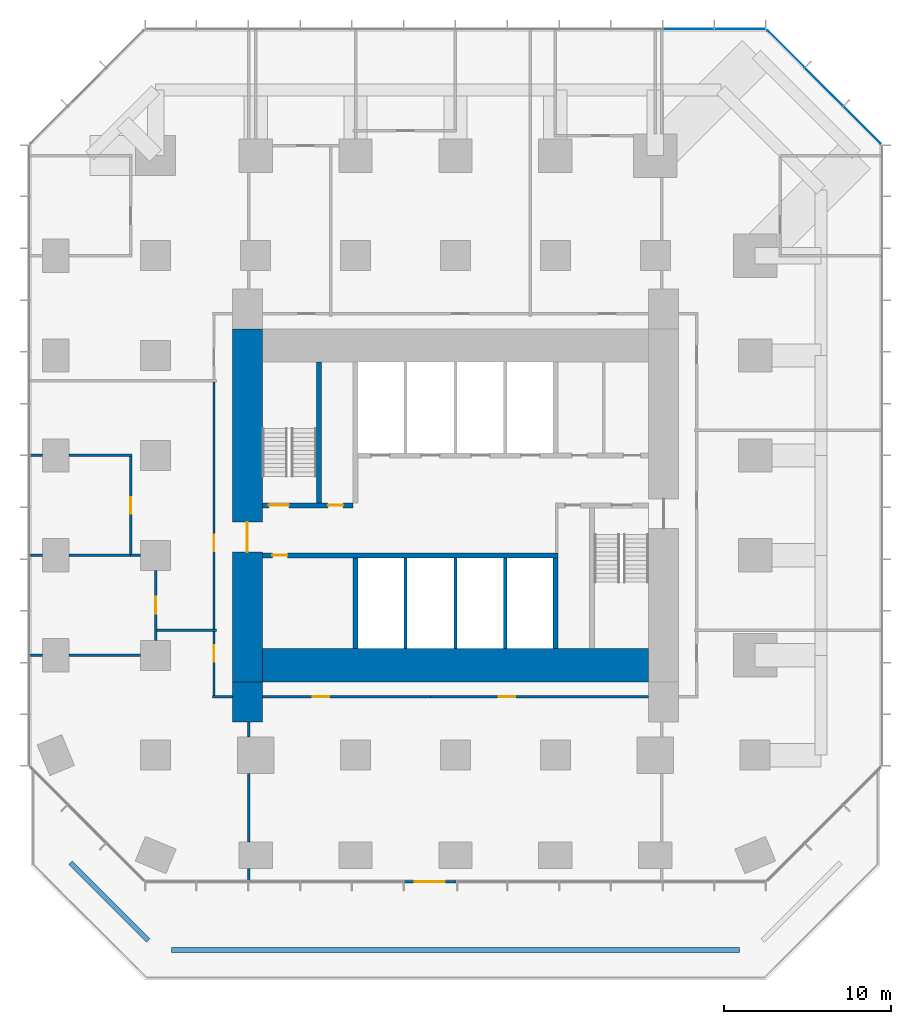
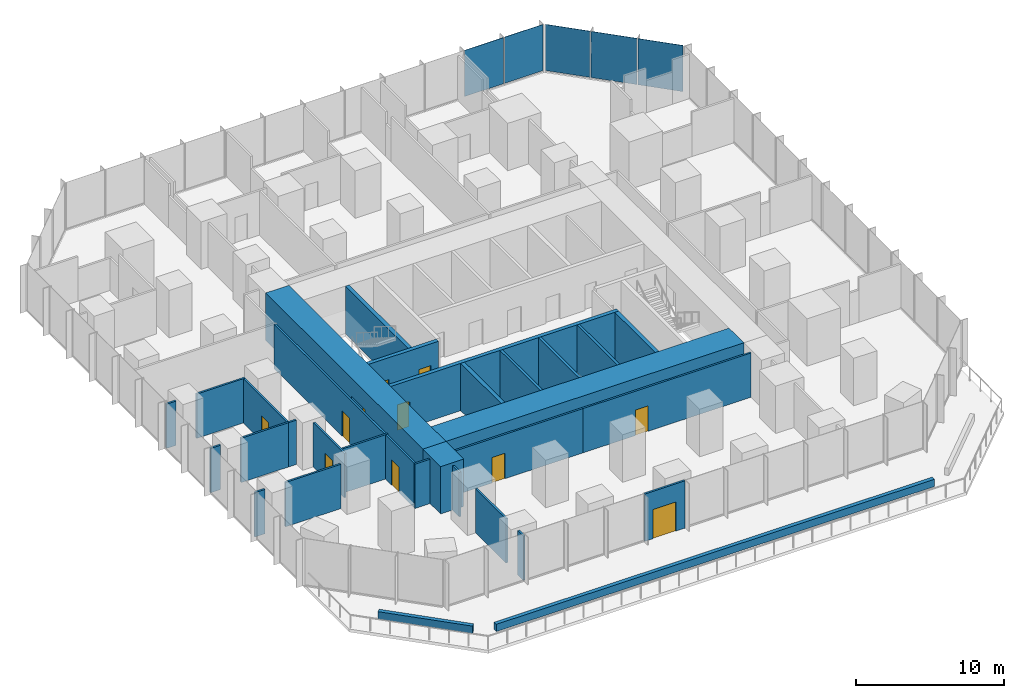
# One storey, part 8 of 12: 32 walls, 11 doors, 5 plates, 11 openings, 2 elements without a shape of their own.
"""IFC4 building model written with IfcOpenShell, lengths in metres."""

from ifc_helpers import new_model, si_unit, direction, frame, frame_2d, origin, origin_2d, place, context, subcontext, project, spatial, rectangle, extrude, material, layer, layer_set, type_object, element, fill, aggregate, save


model = new_model("IFC4")

# Units and contexts
model_context = context("Model", 3, precision=1e-05, world=origin(), true_north=direction((0.0, 1.0)))
body_context = subcontext(model_context, "Body", "Model", "MODEL_VIEW")
ifc_project = project(units=[si_unit("LENGTHUNIT", "METRE"), si_unit("AREAUNIT", "SQUARE_METRE"), si_unit("VOLUMEUNIT", "CUBIC_METRE"), si_unit("PLANEANGLEUNIT", "RADIAN"), si_unit("MASSUNIT", "GRAM", prefix="KILO")], contexts=[model_context])

# Site, building, storey
site_placement = place(None, origin())
site = spatial("IfcSite", under=ifc_project, at=site_placement, CompositionType="ELEMENT")
building_placement = place(site_placement, origin())
building = spatial("IfcBuilding", under=site, at=building_placement, Name="Highveld Stack Headquarters", CompositionType="ELEMENT")
storey_placement = place(building_placement, frame((0.0, 0.0, 65.0)))
storey = spatial("IfcBuildingStorey", under=building, at=storey_placement, Name="L15", CompositionType="ELEMENT", Elevation=65.0)

# Curtain wall, plates
ifc_material_1 = material(Name="Aluminium bronze anodised", Category="aluminium")
ifc_layer_1 = layer(ifc_material_1, 0.199951171875)
ifc_layer_set_1 = layer_set([ifc_layer_1], Name="Aluminium bronze anodised")
curtain_wall_type_1 = type_object("IfcCurtainWallType", Name="CW1 TOWER UNITISED CURTAIN WALL", PredefinedType="NOTDEFINED", material=ifc_layer_set_1)
curtain_wall_1_placement = place(storey_placement, origin())
curtain_wall_1 = element("IfcCurtainWall", 1, at=curtain_wall_1_placement, inside=storey, type_object=curtain_wall_type_1, Name="Curtain wall CW1 L15 N", PredefinedType="NOTDEFINED")
ifc_material_2 = material(Name="Glass bronze tinted double glazed unit", Category="glass")
ifc_layer_2 = layer(ifc_material_2, 0.028076171875)
ifc_layer_set_2 = layer_set([ifc_layer_2], Name="Glass bronze tinted double glazed unit")
plate_type_1 = type_object("IfcPlateType", Name="CW1 PANEL BRONZE TINTED DOUBLE GLAZED UNIT", PredefinedType="CURTAIN_PANEL", material=ifc_layer_set_2)
plate_1_placement = place(storey_placement, frame((23.09130859375, 31.60009765625, 0.10009765625), z_axis=(0.0, 0.0, 1.0), x_axis=(-1.0, 0.0, 0.0)))
plate_1 = element("IfcPlate", 2, at=plate_1_placement, type_object=plate_type_1, Name="CW1 panel L15 1.1", PredefinedType="CURTAIN_PANEL", context=body_context, shape_type="SweptSolid", body=[
    extrude(rectangle(XDim=3.012939453125, YDim=0.028076171875, at=origin_2d()), origin(), (0.0, 0.0, 1.0), 3.800048828125),
])
plate_2_placement = place(storey_placement, frame((19.9970703125, 31.60009765625, 0.10009765625), z_axis=(0.0, 0.0, 1.0), x_axis=(-1.0, 0.0, 0.0)))
plate_2 = element("IfcPlate", 3, at=plate_2_placement, type_object=plate_type_1, Name="CW1 panel L15 2.1", PredefinedType="CURTAIN_PANEL", context=body_context, shape_type="SweptSolid", body=[
    extrude(rectangle(XDim=3.04541015625, YDim=0.028076171875, at=origin_2d()), origin(), (0.0, 0.0, 1.0), 3.800048828125),
])
aggregate(curtain_wall_1, [plate_1, plate_2])

ifc_material_3 = material(Name="Aluminium bronze anodised", Category="aluminium")
ifc_layer_3 = layer(ifc_material_3, 0.199951171875)
ifc_layer_set_3 = layer_set([ifc_layer_3], Name="Aluminium bronze anodised")
curtain_wall_type_2 = type_object("IfcCurtainWallType", Name="CW2 TOWER CHAMFER UNITISED CURTAIN WALL", PredefinedType="NOTDEFINED", material=ifc_layer_set_3)
curtain_wall_2_placement = place(storey_placement, origin())
curtain_wall_2 = element("IfcCurtainWall", 4, at=curtain_wall_2_placement, inside=storey, type_object=curtain_wall_type_2, Name="Curtain wall CW2 L15 NE", PredefinedType="NOTDEFINED")
ifc_material_4 = material(Name="Glass bronze tinted double glazed unit", Category="glass")
ifc_layer_4 = layer(ifc_material_4, 0.028076171875)
ifc_layer_set_4 = layer_set([ifc_layer_4], Name="Glass bronze tinted double glazed unit")
plate_type_2 = type_object("IfcPlateType", Name="CW2 PANEL BRONZE TINTED DOUBLE GLAZED UNIT", PredefinedType="CURTAIN_PANEL", material=ifc_layer_set_4)
plate_3_placement = place(storey_placement, frame((30.419921875, 25.8427734375, 0.10009765625), z_axis=(0.0, 0.0, 1.0), x_axis=(-0.707106781187, 0.707106781187, 0.0)))
plate_3 = element("IfcPlate", 5, at=plate_3_placement, type_object=plate_type_2, Name="CW2 panel L15 1.1", PredefinedType="CURTAIN_PANEL", context=body_context, shape_type="SweptSolid", body=[
    extrude(rectangle(XDim=3.1376953125, YDim=0.028076171875, at=origin_2d()), origin(), (0.0, 0.0, 1.0), 3.800048828125),
])
plate_4_placement = place(storey_placement, frame((28.13134765625, 28.13134765625, 0.10009765625), z_axis=(0.0, 0.0, 1.0), x_axis=(-0.707106781187, 0.707106781187, 0.0)))
plate_4 = element("IfcPlate", 6, at=plate_4_placement, type_object=plate_type_2, Name="CW2 panel L15 2.1", PredefinedType="CURTAIN_PANEL", context=body_context, shape_type="SweptSolid", body=[
    extrude(rectangle(XDim=3.205322265625, YDim=0.028076171875, at=origin_2d()), origin(), (0.0, 0.0, 1.0), 3.800048828125),
])
plate_5_placement = place(storey_placement, frame((25.8427734375, 30.419921875, 0.10009765625), z_axis=(0.0, 0.0, 1.0), x_axis=(-0.707106781187, 0.707106781187, 0.0)))
plate_5 = element("IfcPlate", 7, at=plate_5_placement, type_object=plate_type_2, Name="CW2 panel L15 3.1", PredefinedType="CURTAIN_PANEL", context=body_context, shape_type="SweptSolid", body=[
    extrude(rectangle(XDim=3.1376953125, YDim=0.028076171875, at=origin_2d()), origin(), (0.0, 0.0, 1.0), 3.800048828125),
])
aggregate(curtain_wall_2, [plate_3, plate_4, plate_5])

# Wall, opening, door
ifc_material_5 = material(Name="Concrete C60/75", Category="concrete")
ifc_layer_5 = layer(ifc_material_5, 1.800048828125)
ifc_layer_set_5 = layer_set([ifc_layer_5], Name="Concrete C60/75")
wall_type_1 = type_object("IfcWallType", Name="CORE WALL 1800 C60/75", PredefinedType="SHEAR", material=ifc_layer_set_5)
wall_1_placement = place(storey_placement, frame((-6.5, -7.60009765625, 0.0), z_axis=(0.0, 0.0, 1.0), x_axis=(0.0, 1.0, 0.0)))
wall_1 = element("IfcWall", 8, at=wall_1_placement, inside=storey, type_object=wall_type_1, Name="Core wall W L15", PredefinedType="SHEAR", context=body_context, shape_type="SweptSolid", body=[
    extrude(rectangle(XDim=21.2001953125, YDim=1.800048828125, at=frame_2d((10.60009765625, 0.0))), origin(), (0.0, 0.0, 1.0), 3.89990234375),
])
opening_1_placement = place(wall_1_placement, frame((7.800048828125, 0.0, 0.0)))
opening_1 = element("IfcOpeningElement", 9, at=opening_1_placement, cuts=wall_1, Name="Opening L15-02", PredefinedType="OPENING", context=body_context, shape_type="SweptSolid", body=[
    extrude(rectangle(XDim=1.800048828125, YDim=2.39990234375, at=frame_2d((0.89990234375, 1.199951171875))), frame((0.0, 0.909912109375, 0.0), z_axis=(0.0, -1.0, 0.0), x_axis=(1.0, 0.0, 0.0)), (0.0, 0.0, 1.0), 1.820068359375),
])
ifc_material_6 = material(Name="Steel fire door", Category="steel")
door_type_1 = type_object("IfcDoorType", Name="LOBBY FIRE DOOR D4 1800x2400", OperationType="DOUBLE_DOOR_SINGLE_SWING", PredefinedType="DOOR", material=ifc_material_6)
door_1_placement = place(opening_1_placement, origin())
door_1 = element("IfcDoor", 10, at=door_1_placement, inside=storey, type_object=door_type_1, Name="Core west door L15", OperationType="DOUBLE_DOOR_SINGLE_SWING", OverallHeight=2.39990234375, OverallWidth=1.800048828125, PredefinedType="DOOR", context=body_context, shape_type="SweptSolid", body=[
    extrude(rectangle(XDim=1.800048828125, YDim=2.39990234375, at=frame_2d((0.89990234375, 1.199951171875))), frame((0.0, 0.02490234375, 0.0), z_axis=(0.0, -1.0, 0.0), x_axis=(1.0, 0.0, 0.0)), (0.0, 0.0, 1.0), 0.050048828125),
])
fill(opening_1, door_1)

# Wall
ifc_material_7 = material(Name="Concrete C60/75", Category="concrete")
ifc_layer_6 = layer(ifc_material_7, 2.0)
ifc_layer_set_6 = layer_set([ifc_layer_6], Name="Concrete C60/75")
wall_type_2 = type_object("IfcWallType", Name="CORE WALL 2000 C60/75", PredefinedType="SHEAR", material=ifc_layer_set_6)
wall_2_placement = place(storey_placement, frame((-5.60009765625, -6.60009765625, 0.0), z_axis=(0.0, 0.0, 1.0), x_axis=(1.0, 0.0, 0.0)))
element("IfcWall", 11, at=wall_2_placement, inside=storey, type_object=wall_type_2, Name="Core wall S L15", PredefinedType="SHEAR", context=body_context, shape_type="SweptSolid", body=[
    extrude(rectangle(XDim=23.2001953125, YDim=2.0, at=frame_2d((11.60009765625, 0.0))), origin(), (0.0, 0.0, 1.0), 3.89990234375),
])

# Wall, opening, door
ifc_material_8 = material(Name="Concrete C60/75", Category="concrete")
ifc_layer_7 = layer(ifc_material_8, 0.300048828125)
ifc_layer_set_7 = layer_set([ifc_layer_7], Name="Concrete C60/75")
wall_type_3 = type_object("IfcWallType", Name="CORE WALL 300 C60/75", PredefinedType="SHEAR", material=ifc_layer_set_7)
wall_3_placement = place(storey_placement, frame((-5.60009765625, 0.0, 0.0), z_axis=(0.0, 0.0, 1.0), x_axis=(1.0, 0.0, 0.0)))
wall_3 = element("IfcWall", 12, at=wall_3_placement, inside=storey, type_object=wall_type_3, Name="Core wall I-Y0 L15", PredefinedType="SHEAR", context=body_context, shape_type="SweptSolid", body=[
    extrude(rectangle(XDim=17.75, YDim=0.300048828125, at=frame_2d((8.875, 0.0))), origin(), (0.0, 0.0, 1.0), 3.89990234375),
])
opening_2_placement = place(wall_3_placement, frame((0.60009765625, 0.0, 0.0)))
opening_2 = element("IfcOpeningElement", 13, at=opening_2_placement, cuts=wall_3, Name="Opening L15-08", PredefinedType="OPENING", context=body_context, shape_type="SweptSolid", body=[
    extrude(rectangle(XDim=0.89990234375, YDim=2.10009765625, at=frame_2d((0.449951171875, 1.050048828125))), frame((0.0, 0.159912109375, 0.0), z_axis=(0.0, -1.0, 0.0), x_axis=(1.0, 0.0, 0.0)), (0.0, 0.0, 1.0), 0.320068359375),
])
ifc_material_9 = material(Name="Timber door, painted", Category="wood")
door_type_2 = type_object("IfcDoorType", Name="WC DOOR D1 900x2100", OperationType="SINGLE_SWING_LEFT", PredefinedType="DOOR", material=ifc_material_9)
door_2_placement = place(opening_2_placement, origin())
door_2 = element("IfcDoor", 14, at=door_2_placement, inside=storey, type_object=door_type_2, Name="Female WC door L15", OperationType="SINGLE_SWING_LEFT", OverallHeight=2.10009765625, OverallWidth=0.89990234375, PredefinedType="DOOR", context=body_context, shape_type="SweptSolid", body=[
    extrude(rectangle(XDim=0.89990234375, YDim=2.10009765625, at=frame_2d((0.449951171875, 1.050048828125))), frame((0.0, 0.02490234375, 0.0), z_axis=(0.0, -1.0, 0.0), x_axis=(1.0, 0.0, 0.0)), (0.0, 0.0, 1.0), 0.050048828125),
])
fill(opening_2, door_2)

# Wall, openings, doors
wall_4_placement = place(storey_placement, frame((-5.60009765625, 3.0, 0.0), z_axis=(0.0, 0.0, 1.0), x_axis=(1.0, 0.0, 0.0)))
wall_4 = element("IfcWall", 15, at=wall_4_placement, inside=storey, type_object=wall_type_3, Name="Core wall I-Y3W L15", PredefinedType="SHEAR", context=body_context, shape_type="SweptSolid", body=[
    extrude(rectangle(XDim=5.4501953125, YDim=0.300048828125, at=frame_2d((2.72509765625, 0.0))), origin(), (0.0, 0.0, 1.0), 3.89990234375),
])
opening_3_placement = place(wall_4_placement, frame((0.39990234375, 0.0, 0.0)))
opening_3 = element("IfcOpeningElement", 16, at=opening_3_placement, cuts=wall_4, Name="Opening L15-04", PredefinedType="OPENING", context=body_context, shape_type="SweptSolid", body=[
    extrude(rectangle(XDim=1.199951171875, YDim=2.10009765625, at=frame_2d((0.60009765625, 1.050048828125))), frame((0.0, 0.159912109375, 0.0), z_axis=(0.0, -1.0, 0.0), x_axis=(1.0, 0.0, 0.0)), (0.0, 0.0, 1.0), 0.320068359375),
])
opening_4_placement = place(wall_4_placement, frame((3.949951171875, 0.0, 0.0)))
opening_4 = element("IfcOpeningElement", 17, at=opening_4_placement, cuts=wall_4, Name="Opening L15-05", PredefinedType="OPENING", context=body_context, shape_type="SweptSolid", body=[
    extrude(rectangle(XDim=0.89990234375, YDim=2.10009765625, at=frame_2d((0.449951171875, 1.050048828125))), frame((0.0, 0.159912109375, 0.0), z_axis=(0.0, -1.0, 0.0), x_axis=(1.0, 0.0, 0.0)), (0.0, 0.0, 1.0), 0.320068359375),
])
ifc_material_10 = material(Name="Steel fire door", Category="steel")
door_type_3 = type_object("IfcDoorType", Name="RISER ACCESS DOOR D5 900x2100", OperationType="SINGLE_SWING_LEFT", PredefinedType="DOOR", material=ifc_material_10)
door_3_placement = place(opening_4_placement, origin())
door_3 = element("IfcDoor", 18, at=door_3_placement, inside=storey, type_object=door_type_3, Name="Riser R1 door L15", OperationType="SINGLE_SWING_RIGHT", OverallHeight=2.10009765625, OverallWidth=0.89990234375, PredefinedType="DOOR", context=body_context, shape_type="SweptSolid", body=[
    extrude(rectangle(XDim=0.89990234375, YDim=2.10009765625, at=frame_2d((0.449951171875, 1.050048828125))), frame((0.0, 0.02490234375, 0.0), z_axis=(0.0, -1.0, 0.0), x_axis=(1.0, 0.0, 0.0)), (0.0, 0.0, 1.0), 0.050048828125),
])
fill(opening_4, door_3)
ifc_material_11 = material(Name="Steel fire door", Category="steel")
door_type_4 = type_object("IfcDoorType", Name="STAIR FIRE DOOR D3 1200x2100", OperationType="SINGLE_SWING_LEFT", PredefinedType="DOOR", material=ifc_material_11)
door_4_placement = place(opening_3_placement, origin())
door_4 = element("IfcDoor", 19, at=door_4_placement, inside=storey, type_object=door_type_4, Name="Stair S1 door L15", OperationType="SINGLE_SWING_LEFT", OverallHeight=2.10009765625, OverallWidth=1.199951171875, PredefinedType="DOOR", context=body_context, shape_type="SweptSolid", body=[
    extrude(rectangle(XDim=1.199951171875, YDim=2.10009765625, at=frame_2d((0.60009765625, 1.050048828125))), frame((0.0, 0.02490234375, 0.0), z_axis=(0.0, -1.0, 0.0), x_axis=(1.0, 0.0, 0.0)), (0.0, 0.0, 1.0), 0.050048828125),
])
fill(opening_3, door_4)

# Walls
for number, where, z_axis, x_axis, name in (
    (20, (0.0, -5.60009765625, 0.0), (0.0, 0.0, 1.0), (0.0, 1.0, 0.0), "Core wall I-X0S L15"),
    (21, (12.0, -5.60009765625, 0.0), (0.0, 0.0, 1.0), (0.0, 1.0, 0.0), "Core wall I-X12S L15"),
):
    element("IfcWall", number, at=place(storey_placement, frame(where, z_axis=z_axis, x_axis=x_axis)), inside=storey, type_object=wall_type_3, Name=name, PredefinedType="SHEAR", context=body_context, shape_type="SweptSolid", body=[
        extrude(rectangle(XDim=5.4501953125, YDim=0.300048828125, at=frame_2d((2.72509765625, 0.0))), origin(), (0.0, 0.0, 1.0), 3.89990234375),
    ])
wall_5_placement = place(storey_placement, frame((-2.199951171875, 3.14990234375, 0.0), z_axis=(0.0, 0.0, 1.0), x_axis=(0.0, 1.0, 0.0)))
element("IfcWall", 22, at=wall_5_placement, inside=storey, type_object=wall_type_3, Name="Core wall I-RW L15", PredefinedType="SHEAR", context=body_context, shape_type="SweptSolid", body=[
    extrude(rectangle(XDim=8.4501953125, YDim=0.300048828125, at=frame_2d((4.22509765625, 0.0))), origin(), (0.0, 0.0, 1.0), 3.89990234375),
])
ifc_material_12 = material(Name="Concrete C60/75", Category="concrete")
ifc_layer_8 = layer(ifc_material_12, 1.800048828125)
ifc_layer_set_8 = layer_set([ifc_layer_8], Name="Concrete C60/75")
wall_type_4 = type_object("IfcWallType", Name="CORE WING WALL 1800 C60/75", PredefinedType="SHEAR", material=ifc_layer_set_8)
wall_6_placement = place(storey_placement, frame((-6.5, -10.0, 0.0), z_axis=(0.0, 0.0, 1.0), x_axis=(0.0, 1.0, 0.0)))
element("IfcWall", 23, at=wall_6_placement, inside=storey, type_object=wall_type_4, Name="Core wing wall WS L15", PredefinedType="SHEAR", context=body_context, shape_type="SweptSolid", body=[
    extrude(rectangle(XDim=2.39990234375, YDim=1.800048828125, at=frame_2d((1.199951171875, 0.0))), origin(), (0.0, 0.0, 1.0), 3.89990234375),
])

# Wall, opening, door
ifc_material_13 = material(Name="Aluminium framed glazed screen", Category="aluminium")
ifc_layer_9 = layer(ifc_material_13, 0.14990234375)
ifc_layer_set_9 = layer_set([ifc_layer_9], Name="Aluminium framed glazed screen")
wall_type_5 = type_object("IfcWallType", Name="GLAZED DOOR SCREEN 150", PredefinedType="USERDEFINED", material=ifc_layer_set_9)
wall_7_placement = place(storey_placement, frame((6.04248046875, -19.60009765625, 0.0), z_axis=(0.0, 0.0, 1.0), x_axis=(-1.0, 0.0, 0.0)))
wall_7 = element("IfcWall", 24, at=wall_7_placement, inside=storey, type_object=wall_type_5, Name="Glazed door screen L15 S", ObjectType="GLAZED SCREEN", PredefinedType="USERDEFINED", context=body_context, shape_type="SweptSolid", body=[
    extrude(rectangle(XDim=3.120361328125, YDim=0.14990234375, at=frame_2d((1.56005859375, 0.0))), origin(), (0.0, 0.0, 1.0), 3.89990234375),
])
opening_5_placement = place(wall_7_placement, frame((0.69775390625, 0.0, 0.0)))
opening_5 = element("IfcOpeningElement", 25, at=opening_5_placement, cuts=wall_7, Name="Opening L15-01", PredefinedType="OPENING", context=body_context, shape_type="SweptSolid", body=[
    extrude(rectangle(XDim=1.800048828125, YDim=2.39990234375, at=frame_2d((0.89990234375, 1.199951171875))), frame((0.0, 0.0849609375, 0.0), z_axis=(0.0, -1.0, 0.0), x_axis=(1.0, 0.0, 0.0)), (0.0, 0.0, 1.0), 0.169921875),
])
ifc_material_14 = material(Name="Aluminium framed glass door", Category="aluminium")
door_type_5 = type_object("IfcDoorType", Name="TERRACE DOOR D8 1800x2400", OperationType="DOUBLE_DOOR_SINGLE_SWING", PredefinedType="DOOR", material=ifc_material_14)
door_5_placement = place(opening_5_placement, origin())
door_5 = element("IfcDoor", 26, at=door_5_placement, inside=storey, type_object=door_type_5, Name="Terrace door L15 S", OperationType="DOUBLE_DOOR_SINGLE_SWING", OverallHeight=2.39990234375, OverallWidth=1.800048828125, PredefinedType="DOOR", context=body_context, shape_type="SweptSolid", body=[
    extrude(rectangle(XDim=1.800048828125, YDim=2.39990234375, at=frame_2d((0.89990234375, 1.199951171875))), frame((0.0, 0.02490234375, 0.0), z_axis=(0.0, -1.0, 0.0), x_axis=(1.0, 0.0, 0.0)), (0.0, 0.0, 1.0), 0.050048828125),
])
fill(opening_5, door_5)

ifc_material_15 = material(Name="Laminated glass in aluminium frame", Category="aluminium")
ifc_layer_10 = layer(ifc_material_15, 0.14990234375)
ifc_layer_set_10 = layer_set([ifc_layer_10], Name="Laminated glass in aluminium frame")
wall_type_6 = type_object("IfcWallType", Name="GLAZED PARTITION 150", PredefinedType="PARTITIONING", material=ifc_layer_set_10)
wall_8_placement = place(storey_placement, frame((-12.0, -5.10009765625, 0.0), z_axis=(0.0, 0.0, 1.0), x_axis=(0.0, 1.0, 0.0)))
wall_8 = element("IfcWall", 27, at=wall_8_placement, inside=storey, type_object=wall_type_6, Name="Glazed partition Meeting room L15", PredefinedType="PARTITIONING", context=body_context, shape_type="SweptSolid", body=[
    extrude(rectangle(XDim=4.2001953125, YDim=0.14990234375, at=frame_2d((2.10009765625, 0.0))), origin(), (0.0, 0.0, 1.0), 3.64990234375),
])
opening_6_placement = place(wall_8_placement, frame((1.60009765625, 0.0, 0.0)))
opening_6 = element("IfcOpeningElement", 28, at=opening_6_placement, cuts=wall_8, Name="Opening L15-11", PredefinedType="OPENING", context=body_context, shape_type="SweptSolid", body=[
    extrude(rectangle(XDim=1.0, YDim=2.10009765625, at=frame_2d((0.5, 1.050048828125))), frame((0.0, 0.0849609375, 0.0), z_axis=(0.0, -1.0, 0.0), x_axis=(1.0, 0.0, 0.0)), (0.0, 0.0, 1.0), 0.169921875),
])
ifc_material_16 = material(Name="Timber door, oiled ash", Category="wood")
door_type_6 = type_object("IfcDoorType", Name="ROOM DOOR D6 1000x2100", OperationType="SINGLE_SWING_LEFT", PredefinedType="DOOR", material=ifc_material_16)
door_6_placement = place(opening_6_placement, origin())
door_6 = element("IfcDoor", 29, at=door_6_placement, inside=storey, type_object=door_type_6, Name="Meeting room door 1 L15", OperationType="SINGLE_SWING_LEFT", OverallHeight=2.10009765625, OverallWidth=1.0, PredefinedType="DOOR", context=body_context, shape_type="SweptSolid", body=[
    extrude(rectangle(XDim=1.0, YDim=2.10009765625, at=frame_2d((0.5, 1.050048828125))), frame((0.0, 0.02490234375, 0.0), z_axis=(0.0, -1.0, 0.0), x_axis=(1.0, 0.0, 0.0)), (0.0, 0.0, 1.0), 0.050048828125),
])
fill(opening_6, door_6)

# Walls
ifc_material_17 = material(Name="Concrete blockwork, fair-faced", Category="masonry")
ifc_layer_11 = layer(ifc_material_17, 0.199951171875)
ifc_layer_set_11 = layer_set([ifc_layer_11], Name="Concrete blockwork, fair-faced")
wall_type_7 = type_object("IfcWallType", Name="LIFT SHAFT ENCLOSURE WALL 200 BLOCKWORK", PredefinedType="SOLIDWALL", material=ifc_layer_set_11)
for number, where, z_axis, x_axis, name in (
    (30, (3.0, -5.60009765625, 0.0), (0.0, 0.0, 1.0), (0.0, 1.0, 0.0), "Lift shaft wall L15"),
    (31, (6.0, -5.60009765625, 0.0), (0.0, 0.0, 1.0), (0.0, 1.0, 0.0), "Lift shaft wall L15"),
    (32, (9.0, -5.60009765625, 0.0), (0.0, 0.0, 1.0), (0.0, 1.0, 0.0), "Lift shaft wall L15"),
):
    element("IfcWall", number, at=place(storey_placement, frame(where, z_axis=z_axis, x_axis=x_axis)), inside=storey, type_object=wall_type_7, Name=name, PredefinedType="SOLIDWALL", context=body_context, shape_type="SweptSolid", body=[
        extrude(rectangle(XDim=5.4501953125, YDim=0.199951171875, at=frame_2d((2.72509765625, 0.0))), origin(), (0.0, 0.0, 1.0), 3.89990234375),
    ])
ifc_material_18 = material(Name="Gypsum plasterboard on steel studs", Category="steel")
ifc_layer_12 = layer(ifc_material_18, 0.14990234375)
ifc_layer_set_12 = layer_set([ifc_layer_12], Name="Gypsum plasterboard on steel studs")
wall_type_8 = type_object("IfcWallType", Name="PARTITION 150 PLASTERBOARD", PredefinedType="PARTITIONING", material=ifc_layer_set_12)
wall_9_placement = place(storey_placement, frame((-19.60009765625, -6.0, 0.0), z_axis=(0.0, 0.0, 1.0), x_axis=(1.0, 0.0, 0.0)))
element("IfcWall", 33, at=wall_9_placement, inside=storey, type_object=wall_type_8, Name="Partition Meeting room L15", PredefinedType="PARTITIONING", context=body_context, shape_type="SweptSolid", body=[
    extrude(rectangle(XDim=0.800048828125, YDim=0.14990234375, at=frame_2d((0.39990234375, 0.0))), origin(), (0.0, 0.0, 1.0), 3.64990234375),
])
wall_10_placement = place(storey_placement, frame((-17.199951171875, -6.0, 0.0), z_axis=(0.0, 0.0, 1.0), x_axis=(1.0, 0.0, 0.0)))
element("IfcWall", 34, at=wall_10_placement, inside=storey, type_object=wall_type_8, Name="Partition Meeting room L15", PredefinedType="PARTITIONING", context=body_context, shape_type="SweptSolid", body=[
    extrude(rectangle(XDim=4.300048828125, YDim=0.14990234375, at=frame_2d((2.14990234375, 0.0))), origin(), (0.0, 0.0, 1.0), 3.64990234375),
])
wall_11_placement = place(storey_placement, frame((-19.60009765625, 0.0, 0.0), z_axis=(0.0, 0.0, 1.0), x_axis=(1.0, 0.0, 0.0)))
element("IfcWall", 35, at=wall_11_placement, inside=storey, type_object=wall_type_8, Name="Partition Meeting room / Quiet room L15", PredefinedType="PARTITIONING", context=body_context, shape_type="SweptSolid", body=[
    extrude(rectangle(XDim=0.800048828125, YDim=0.14990234375, at=frame_2d((0.39990234375, 0.0))), origin(), (0.0, 0.0, 1.0), 3.64990234375),
])
wall_12_placement = place(storey_placement, frame((-17.199951171875, 0.0, 0.0), z_axis=(0.0, 0.0, 1.0), x_axis=(1.0, 0.0, 0.0)))
element("IfcWall", 36, at=wall_12_placement, inside=storey, type_object=wall_type_8, Name="Partition Meeting room / Quiet room L15", PredefinedType="PARTITIONING", context=body_context, shape_type="SweptSolid", body=[
    extrude(rectangle(XDim=3.77490234375, YDim=0.14990234375, at=frame_2d((1.887451171875, 0.0))), origin(), (0.0, 0.0, 1.0), 3.64990234375),
])
wall_13_placement = place(storey_placement, frame((-13.5, 0.0, 0.0), z_axis=(0.0, 0.0, 1.0), x_axis=(1.0, 0.0, 0.0)))
element("IfcWall", 37, at=wall_13_placement, inside=storey, type_object=wall_type_8, Name="Partition Meeting room L15", PredefinedType="PARTITIONING", context=body_context, shape_type="SweptSolid", body=[
    extrude(rectangle(XDim=0.60009765625, YDim=0.14990234375, at=frame_2d((0.300048828125, 0.0))), origin(), (0.0, 0.0, 1.0), 3.64990234375),
])
wall_14_placement = place(storey_placement, frame((-19.550048828125, 6.0, 0.0), z_axis=(0.0, 0.0, 1.0), x_axis=(1.0, 0.0, 0.0)))
element("IfcWall", 38, at=wall_14_placement, inside=storey, type_object=wall_type_8, Name="Partition Quiet room L15", PredefinedType="PARTITIONING", context=body_context, shape_type="SweptSolid", body=[
    extrude(rectangle(XDim=0.75, YDim=0.14990234375, at=frame_2d((0.375, 0.0))), origin(), (0.0, 0.0, 1.0), 3.64990234375),
])
wall_15_placement = place(storey_placement, frame((-17.199951171875, 6.0, 0.0), z_axis=(0.0, 0.0, 1.0), x_axis=(1.0, 0.0, 0.0)))
element("IfcWall", 39, at=wall_15_placement, inside=storey, type_object=wall_type_8, Name="Partition Quiet room L15", PredefinedType="PARTITIONING", context=body_context, shape_type="SweptSolid", body=[
    extrude(rectangle(XDim=3.77490234375, YDim=0.14990234375, at=frame_2d((1.887451171875, 0.0))), origin(), (0.0, 0.0, 1.0), 3.64990234375),
])

# Wall, opening, door
wall_16_placement = place(storey_placement, frame((-13.5, 0.074951171875, 0.0), z_axis=(0.0, 0.0, 1.0), x_axis=(0.0, 1.0, 0.0)))
wall_16 = element("IfcWall", 40, at=wall_16_placement, inside=storey, type_object=wall_type_8, Name="Partition Quiet room L15", PredefinedType="PARTITIONING", context=body_context, shape_type="SweptSolid", body=[
    extrude(rectangle(XDim=5.85009765625, YDim=0.14990234375, at=frame_2d((2.925048828125, 0.0))), origin(), (0.0, 0.0, 1.0), 3.64990234375),
])
opening_7_placement = place(wall_16_placement, frame((2.425048828125, 0.0, 0.0)))
opening_7 = element("IfcOpeningElement", 41, at=opening_7_placement, cuts=wall_16, Name="Opening L15-12", PredefinedType="OPENING", context=body_context, shape_type="SweptSolid", body=[
    extrude(rectangle(XDim=1.0, YDim=2.10009765625, at=frame_2d((0.5, 1.050048828125))), frame((0.0, 0.0849609375, 0.0), z_axis=(0.0, -1.0, 0.0), x_axis=(1.0, 0.0, 0.0)), (0.0, 0.0, 1.0), 0.169921875),
])
door_7_placement = place(opening_7_placement, origin())
door_7 = element("IfcDoor", 42, at=door_7_placement, inside=storey, type_object=door_type_6, Name="Quiet room door 1 L15", OperationType="SINGLE_SWING_RIGHT", OverallHeight=2.10009765625, OverallWidth=1.0, PredefinedType="DOOR", context=body_context, shape_type="SweptSolid", body=[
    extrude(rectangle(XDim=1.0, YDim=2.10009765625, at=frame_2d((0.5, 1.050048828125))), frame((0.0, 0.02490234375, 0.0), z_axis=(0.0, -1.0, 0.0), x_axis=(1.0, 0.0, 0.0)), (0.0, 0.0, 1.0), 0.050048828125),
])
fill(opening_7, door_7)

# Wall
wall_17_placement = place(storey_placement, frame((-11.925048828125, -4.5, 0.0), z_axis=(0.0, 0.0, 1.0), x_axis=(1.0, 0.0, 0.0)))
element("IfcWall", 43, at=wall_17_placement, inside=storey, type_object=wall_type_8, Name="Partition office neighbourhood L15", PredefinedType="PARTITIONING", context=body_context, shape_type="SweptSolid", body=[
    extrude(rectangle(XDim=3.574951171875, YDim=0.14990234375, at=frame_2d((1.78759765625, 0.0))), origin(), (0.0, 0.0, 1.0), 3.64990234375),
])

# Wall, opening, door
wall_18_placement = place(storey_placement, frame((-8.5, -8.425048828125, 0.0), z_axis=(0.0, 0.0, 1.0), x_axis=(0.0, 1.0, 0.0)))
wall_18 = element("IfcWall", 44, at=wall_18_placement, inside=storey, type_object=wall_type_8, Name="Partition office neighbourhood L15", PredefinedType="PARTITIONING", context=body_context, shape_type="SweptSolid", body=[
    extrude(rectangle(XDim=3.85009765625, YDim=0.14990234375, at=frame_2d((1.925048828125, 0.0))), origin(), (0.0, 0.0, 1.0), 3.64990234375),
])
opening_8_placement = place(wall_18_placement, frame((2.02490234375, 0.0, 0.0)))
opening_8 = element("IfcOpeningElement", 45, at=opening_8_placement, cuts=wall_18, Name="Opening L15-18", PredefinedType="OPENING", context=body_context, shape_type="SweptSolid", body=[
    extrude(rectangle(XDim=1.0, YDim=2.10009765625, at=frame_2d((0.5, 1.050048828125))), frame((0.0, 0.0849609375, 0.0), z_axis=(0.0, -1.0, 0.0), x_axis=(1.0, 0.0, 0.0)), (0.0, 0.0, 1.0), 0.169921875),
])
door_8_placement = place(opening_8_placement, origin())
door_8 = element("IfcDoor", 46, at=door_8_placement, inside=storey, type_object=door_type_6, Name="Office neighbourhood door L15", OperationType="SINGLE_SWING_RIGHT", OverallHeight=2.10009765625, OverallWidth=1.0, PredefinedType="DOOR", context=body_context, shape_type="SweptSolid", body=[
    extrude(rectangle(XDim=1.0, YDim=2.10009765625, at=frame_2d((0.5, 1.050048828125))), frame((0.0, 0.02490234375, 0.0), z_axis=(0.0, -1.0, 0.0), x_axis=(1.0, 0.0, 0.0)), (0.0, 0.0, 1.0), 0.050048828125),
])
fill(opening_8, door_8)

# Wall
wall_19_placement = place(storey_placement, frame((-8.574951171875, -8.5, 0.0), z_axis=(0.0, 0.0, 1.0), x_axis=(1.0, 0.0, 0.0)))
element("IfcWall", 47, at=wall_19_placement, inside=storey, type_object=wall_type_8, Name="Partition office neighbourhood L15", PredefinedType="PARTITIONING", context=body_context, shape_type="SweptSolid", body=[
    extrude(rectangle(XDim=1.175048828125, YDim=0.14990234375, at=frame_2d((0.58740234375, 0.0))), origin(), (0.0, 0.0, 1.0), 3.64990234375),
])

# Wall, opening, door
wall_20_placement = place(storey_placement, frame((-8.5, -4.425048828125, 0.0), z_axis=(0.0, 0.0, 1.0), x_axis=(0.0, 1.0, 0.0)))
wall_20 = element("IfcWall", 48, at=wall_20_placement, inside=storey, type_object=wall_type_8, Name="Partition office neighbourhood L15", PredefinedType="PARTITIONING", context=body_context, shape_type="SweptSolid", body=[
    extrude(rectangle(XDim=14.85009765625, YDim=0.14990234375, at=frame_2d((7.425048828125, 0.0))), origin(), (0.0, 0.0, 1.0), 3.64990234375),
])
opening_9_placement = place(wall_20_placement, frame((4.675048828125, 0.0, 0.0)))
opening_9 = element("IfcOpeningElement", 49, at=opening_9_placement, cuts=wall_20, Name="Opening L15-21", PredefinedType="OPENING", context=body_context, shape_type="SweptSolid", body=[
    extrude(rectangle(XDim=1.0, YDim=2.10009765625, at=frame_2d((0.5, 1.050048828125))), frame((0.0, 0.0849609375, 0.0), z_axis=(0.0, -1.0, 0.0), x_axis=(1.0, 0.0, 0.0)), (0.0, 0.0, 1.0), 0.169921875),
])
door_9_placement = place(opening_9_placement, origin())
door_9 = element("IfcDoor", 50, at=door_9_placement, inside=storey, type_object=door_type_6, Name="Office neighbourhood door L15", OperationType="SINGLE_SWING_LEFT", OverallHeight=2.10009765625, OverallWidth=1.0, PredefinedType="DOOR", context=body_context, shape_type="SweptSolid", body=[
    extrude(rectangle(XDim=1.0, YDim=2.10009765625, at=frame_2d((0.5, 1.050048828125))), frame((0.0, 0.02490234375, 0.0), z_axis=(0.0, -1.0, 0.0), x_axis=(1.0, 0.0, 0.0)), (0.0, 0.0, 1.0), 0.050048828125),
])
fill(opening_9, door_9)

# Walls
wall_21_placement = place(storey_placement, frame((-6.39990234375, -19.550048828125, 0.0), z_axis=(0.0, 0.0, 1.0), x_axis=(0.0, 1.0, 0.0)))
element("IfcWall", 51, at=wall_21_placement, inside=storey, type_object=wall_type_8, Name="Partition office neighbourhood L15", PredefinedType="PARTITIONING", context=body_context, shape_type="SweptSolid", body=[
    extrude(rectangle(XDim=0.75, YDim=0.14990234375, at=frame_2d((0.375, 0.0))), origin(), (0.0, 0.0, 1.0), 3.64990234375),
])
wall_22_placement = place(storey_placement, frame((-6.39990234375, -17.199951171875, 0.0), z_axis=(0.0, 0.0, 1.0), x_axis=(0.0, 1.0, 0.0)))
element("IfcWall", 52, at=wall_22_placement, inside=storey, type_object=wall_type_8, Name="Partition office neighbourhood L15", PredefinedType="PARTITIONING", context=body_context, shape_type="SweptSolid", body=[
    extrude(rectangle(XDim=4.099853515625, YDim=0.14990234375, at=frame_2d((2.0498046875, 0.0))), origin(), (0.0, 0.0, 1.0), 3.64990234375),
])
wall_23_placement = place(storey_placement, frame((-6.39990234375, -10.89990234375, 0.0), z_axis=(0.0, 0.0, 1.0), x_axis=(0.0, 1.0, 0.0)))
element("IfcWall", 53, at=wall_23_placement, inside=storey, type_object=wall_type_8, Name="Partition office neighbourhood L15", PredefinedType="PARTITIONING", context=body_context, shape_type="SweptSolid", body=[
    extrude(rectangle(XDim=0.89990234375, YDim=0.14990234375, at=frame_2d((0.449951171875, 0.0))), origin(), (0.0, 0.0, 1.0), 3.64990234375),
])

# Wall, opening, door
wall_24_placement = place(storey_placement, frame((4.5, -8.5, 0.0), z_axis=(0.0, 0.0, 1.0), x_axis=(-1.0, 0.0, 0.0)))
wall_24 = element("IfcWall", 54, at=wall_24_placement, inside=storey, type_object=wall_type_8, Name="Partition office neighbourhood L15", PredefinedType="PARTITIONING", context=body_context, shape_type="SweptSolid", body=[
    extrude(rectangle(XDim=10.10009765625, YDim=0.14990234375, at=frame_2d((5.050048828125, 0.0))), origin(), (0.0, 0.0, 1.0), 3.64990234375),
])
opening_10_placement = place(wall_24_placement, frame((6.06494140625, 0.0, 0.0)))
opening_10 = element("IfcOpeningElement", 55, at=opening_10_placement, cuts=wall_24, Name="Opening L15-24", PredefinedType="OPENING", context=body_context, shape_type="SweptSolid", body=[
    extrude(rectangle(XDim=1.0, YDim=2.10009765625, at=frame_2d((0.5, 1.050048828125))), frame((0.0, 0.0849609375, 0.0), z_axis=(0.0, -1.0, 0.0), x_axis=(1.0, 0.0, 0.0)), (0.0, 0.0, 1.0), 0.169921875),
])
door_10_placement = place(opening_10_placement, origin())
door_10 = element("IfcDoor", 56, at=door_10_placement, inside=storey, type_object=door_type_6, Name="Office neighbourhood door L15", OperationType="SINGLE_SWING_RIGHT", OverallHeight=2.10009765625, OverallWidth=1.0, PredefinedType="DOOR", context=body_context, shape_type="SweptSolid", body=[
    extrude(rectangle(XDim=1.0, YDim=2.10009765625, at=frame_2d((0.5, 1.050048828125))), frame((0.0, 0.02490234375, 0.0), z_axis=(0.0, -1.0, 0.0), x_axis=(1.0, 0.0, 0.0)), (0.0, 0.0, 1.0), 0.050048828125),
])
fill(opening_10, door_10)

wall_25_placement = place(storey_placement, frame((17.60009765625, -8.5, 0.0), z_axis=(0.0, 0.0, 1.0), x_axis=(-1.0, 0.0, 0.0)))
wall_25 = element("IfcWall", 57, at=wall_25_placement, inside=storey, type_object=wall_type_8, Name="Partition office neighbourhood L15", PredefinedType="PARTITIONING", context=body_context, shape_type="SweptSolid", body=[
    extrude(rectangle(XDim=13.10009765625, YDim=0.14990234375, at=frame_2d((6.550048828125, 0.0))), origin(), (0.0, 0.0, 1.0), 3.64990234375),
])
opening_11_placement = place(wall_25_placement, frame((8.014892578125, 0.0, 0.0)))
opening_11 = element("IfcOpeningElement", 58, at=opening_11_placement, cuts=wall_25, Name="Opening L15-25", PredefinedType="OPENING", context=body_context, shape_type="SweptSolid", body=[
    extrude(rectangle(XDim=1.0, YDim=2.10009765625, at=frame_2d((0.5, 1.050048828125))), frame((0.0, 0.0849609375, 0.0), z_axis=(0.0, -1.0, 0.0), x_axis=(1.0, 0.0, 0.0)), (0.0, 0.0, 1.0), 0.169921875),
])
door_11_placement = place(opening_11_placement, origin())
door_11 = element("IfcDoor", 59, at=door_11_placement, inside=storey, type_object=door_type_6, Name="Office neighbourhood door L15", OperationType="SINGLE_SWING_RIGHT", OverallHeight=2.10009765625, OverallWidth=1.0, PredefinedType="DOOR", context=body_context, shape_type="SweptSolid", body=[
    extrude(rectangle(XDim=1.0, YDim=2.10009765625, at=frame_2d((0.5, 1.050048828125))), frame((0.0, 0.02490234375, 0.0), z_axis=(0.0, -1.0, 0.0), x_axis=(1.0, 0.0, 0.0)), (0.0, 0.0, 1.0), 0.050048828125),
])
fill(opening_11, door_11)

# Walls
ifc_material_19 = material(Name="Concrete C40/50, precast planter", Category="concrete")
ifc_layer_13 = layer(ifc_material_19, 0.300048828125)
ifc_layer_set_13 = layer_set([ifc_layer_13], Name="Concrete C40/50, precast planter")
wall_type_9 = type_object("IfcWallType", Name="PLANTER WALL PL1 300", PredefinedType="USERDEFINED", material=ifc_layer_set_13)
wall_26_placement = place(storey_placement, frame((23.05908203125, -23.699951171875, 0.0), z_axis=(0.0, 0.0, 1.0), x_axis=(-1.0, 0.0, 0.0)))
element("IfcWall", 60, at=wall_26_placement, inside=storey, type_object=wall_type_9, Name="Planter L15 1.3", ObjectType="PLANTER", PredefinedType="USERDEFINED", context=body_context, shape_type="SweptSolid", body=[
    extrude(rectangle(XDim=34.1181640625, YDim=0.300048828125, at=frame_2d((17.05908203125, 0.0))), origin(), (0.0, 0.0, 1.0), 0.60009765625),
])
wall_27_placement = place(storey_placement, frame((-12.453125, -23.12255859375, 0.0), z_axis=(0.0, 0.0, 1.0), x_axis=(-0.707106781187, 0.707106781187, 0.0)))
element("IfcWall", 61, at=wall_27_placement, inside=storey, type_object=wall_type_9, Name="Planter L15 1.4", ObjectType="PLANTER", PredefinedType="USERDEFINED", context=body_context, shape_type="SweptSolid", body=[
    extrude(rectangle(XDim=6.603515625, YDim=0.300048828125, at=frame_2d((3.3017578125, 0.0))), origin(), (0.0, 0.0, 1.0), 0.60009765625),
])

save(model, "model.ifc")
